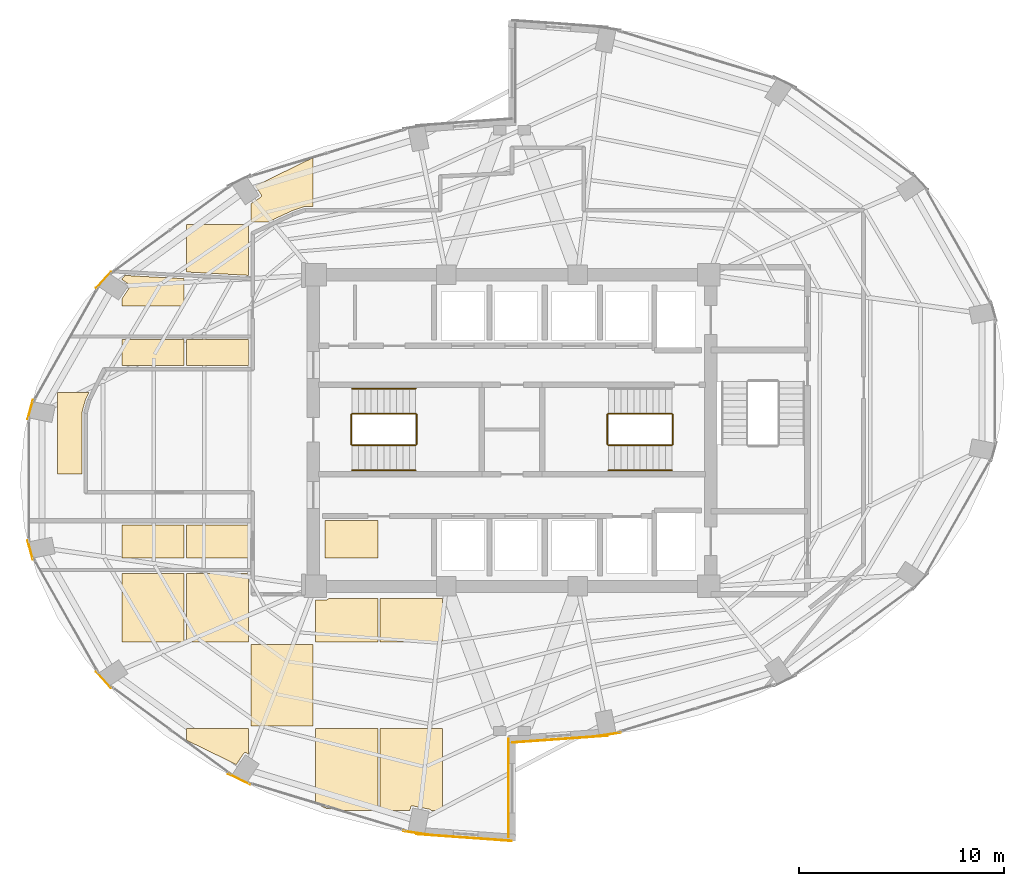
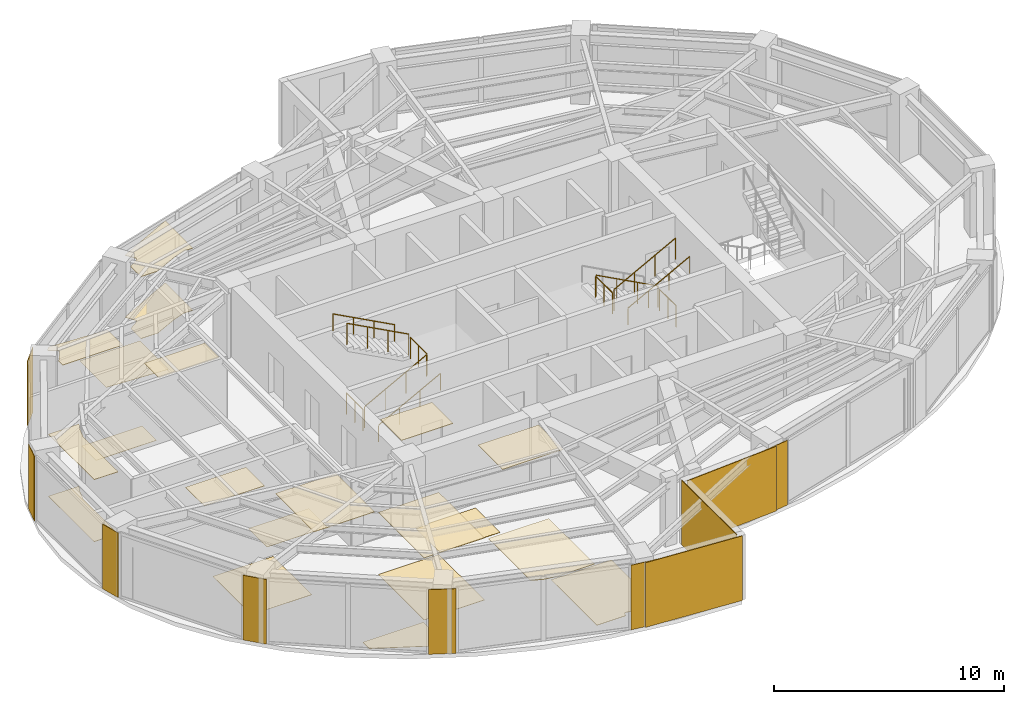
# One storey, part 19 of 20: 30 coverings, 11 railings.
"""IFC4 building model written with IfcOpenShell, lengths in metres."""

from ifc_helpers import new_model, si_unit, direction, frame, origin, origin_2d, place, context, subcontext, project, spatial, polyline, rectangle, circle, outline, extrude, material, layer, layer_set, type_object, element, save


model = new_model("IFC4")

# Units and contexts
model_context = context("Model", 3, precision=1e-05, world=origin(), true_north=direction((0.0, 1.0)))
body_context = subcontext(model_context, "Body", "Model", "MODEL_VIEW")
ifc_project = project(units=[si_unit("LENGTHUNIT", "METRE"), si_unit("AREAUNIT", "SQUARE_METRE"), si_unit("VOLUMEUNIT", "CUBIC_METRE"), si_unit("PLANEANGLEUNIT", "RADIAN"), si_unit("MASSUNIT", "GRAM", prefix="KILO")], contexts=[model_context])

# Site, building, storey
site_placement = place(None, origin())
site = spatial("IfcSite", under=ifc_project, at=site_placement, CompositionType="ELEMENT")
building_placement = place(site_placement, origin())
building = spatial("IfcBuilding", under=site, at=building_placement, Name="Lazwardi Medical Tower", CompositionType="ELEMENT")
storey_placement = place(building_placement, frame((0.0, 0.0, 178.416015625)))
storey = spatial("IfcBuildingStorey", under=building, at=storey_placement, Name="L46", CompositionType="ELEMENT", Elevation=178.416015625)

# Coverings
ifc_material_1 = material(Name="Anodised bronze aluminium cassette cladding", Category="aluminium")
ifc_layer_1 = layer(ifc_material_1, 0.030029296875)
ifc_layer_set_1 = layer_set([ifc_layer_1], Name="Anodised bronze aluminium cassette cladding")
covering_type_1 = type_object("IfcCoveringType", Name="COV-CLD-BRZ", PredefinedType="CLADDING", material=ifc_layer_set_1)
covering_1_placement = place(storey_placement, frame((40.67431640625, 13.17578125, 0.0), z_axis=(0.0, 0.0, 1.0), x_axis=(0.989539138138, 0.144264666823, 0.0)))
element("IfcCovering", 1, at=covering_1_placement, inside=storey, type_object=covering_type_1, Name="L46 Mega-column bronze cassette cover M01", PredefinedType="CLADDING", context=body_context, shape_type="SweptSolid", body=[
    extrude(rectangle(XDim=1.28515625, YDim=0.030029296875, at=origin_2d()), origin(), (0.0, 0.0, 1.0), 3.427978515625),
])
covering_2_placement = place(storey_placement, frame((16.07861328125, 35.356689453125, 0.0), z_axis=(0.0, 0.0, 1.0), x_axis=(-0.673714459537, -0.738991763832, 0.0)))
element("IfcCovering", 2, at=covering_2_placement, inside=storey, type_object=covering_type_1, Name="L46 Mega-column bronze cassette cover M11", PredefinedType="CLADDING", context=body_context, shape_type="SweptSolid", body=[
    extrude(rectangle(XDim=1.0693359375, YDim=0.030029296875, at=origin_2d()), origin(), (0.0, 0.0, 1.0), 3.427978515625),
])
for number, where, z_axis, x_axis, name in (
    (3, (12.501220703125, 29.026123046875, 0.0), (0.0, 0.0, 1.0), (-0.261828726257, -0.965114354938, 0.0), "L46 Mega-column bronze cassette cover M12"),
    (4, (12.501220703125, 22.173828125, 0.0), (0.0, 0.0, 1.0), (0.261828726257, -0.965114354938, 0.0), "L46 Mega-column bronze cassette cover M13"),
):
    element("IfcCovering", number, at=place(storey_placement, frame(where, z_axis=z_axis, x_axis=x_axis)), inside=storey, type_object=covering_type_1, Name=name, PredefinedType="CLADDING", context=body_context, shape_type="SweptSolid", body=[
        extrude(rectangle(XDim=0.9658203125, YDim=0.030029296875, at=origin_2d()), origin(), (0.0, 0.0, 1.0), 3.427978515625),
    ])
covering_3_placement = place(storey_placement, frame((16.07861328125, 15.84326171875, 0.0), z_axis=(0.0, 0.0, 1.0), x_axis=(0.673714459537, -0.738991763832, 0.0)))
element("IfcCovering", 5, at=covering_3_placement, inside=storey, type_object=covering_type_1, Name="L46 Mega-column bronze cassette cover M14", PredefinedType="CLADDING", context=body_context, shape_type="SweptSolid", body=[
    extrude(rectangle(XDim=1.0693359375, YDim=0.030029296875, at=origin_2d()), origin(), (0.0, 0.0, 1.0), 3.427978515625),
])
covering_4_placement = place(storey_placement, frame((22.68896484375, 10.998046875, 0.0), z_axis=(0.0, 0.0, 1.0), x_axis=(0.898079014814, -0.439834154144, 0.0)))
element("IfcCovering", 6, at=covering_4_placement, inside=storey, type_object=covering_type_1, Name="L46 Mega-column bronze cassette cover M15", PredefinedType="CLADDING", context=body_context, shape_type="SweptSolid", body=[
    extrude(rectangle(XDim=1.200439453125, YDim=0.030029296875, at=origin_2d()), origin(), (0.0, 0.0, 1.0), 3.427978515625),
])
covering_5_placement = place(storey_placement, frame((31.32568359375, 8.3759765625, 0.0), z_axis=(0.0, 0.0, 1.0), x_axis=(0.989539138138, -0.144264666823, 0.0)))
element("IfcCovering", 7, at=covering_5_placement, inside=storey, type_object=covering_type_1, Name="L46 Mega-column bronze cassette cover M16", PredefinedType="CLADDING", context=body_context, shape_type="SweptSolid", body=[
    extrude(rectangle(XDim=1.28515625, YDim=0.030029296875, at=origin_2d()), origin(), (0.0, 0.0, 1.0), 3.427978515625),
])
ifc_material_2 = material(Name="Turquoise glazed ceramic tilework cladding", Category="masonry")
ifc_layer_2 = layer(ifc_material_2, 0.034912109375)
ifc_layer_set_2 = layer_set([ifc_layer_2], Name="Turquoise glazed ceramic tilework cladding")
covering_type_2 = type_object("IfcCoveringType", Name="COV-CLD-TRQ", PredefinedType="CLADDING", material=ifc_layer_set_2)
covering_6_placement = place(storey_placement, frame((38.338134765625, 12.952392578125, 0.0), z_axis=(0.0, 0.0, 1.0), x_axis=(0.997414510753, 0.071863020663, 0.0)))
element("IfcCovering", 8, at=covering_6_placement, inside=storey, type_object=covering_type_2, Name="L46 Turquoise glazed ceramic tilework cladding", PredefinedType="CLADDING", context=body_context, shape_type="SweptSolid", body=[
    extrude(rectangle(XDim=4.6630859375, YDim=0.034912109375, at=origin_2d()), origin(), (0.0, 0.0, 1.0), 3.427978515625),
])
covering_7_placement = place(storey_placement, frame((33.66162109375, 8.152587890625, 0.0), z_axis=(0.0, 0.0, 1.0), x_axis=(0.997414134466, -0.071868243112, 0.0)))
element("IfcCovering", 9, at=covering_7_placement, inside=storey, type_object=covering_type_2, Name="L46 Turquoise glazed ceramic tilework cladding", PredefinedType="CLADDING", context=body_context, shape_type="SweptSolid", body=[
    extrude(rectangle(XDim=4.66259765625, YDim=0.034912109375, at=origin_2d()), origin(), (0.0, 0.0, 1.0), 3.427978515625),
])
covering_8_placement = place(storey_placement, frame((35.824462890625, 10.56005859375, 0.0), z_axis=(0.0, 0.0, 1.0), x_axis=(0.0, 1.0, 0.0)))
element("IfcCovering", 10, at=covering_8_placement, inside=storey, type_object=covering_type_2, Name="L46 Turquoise glazed ceramic tilework iwan panel", PredefinedType="CLADDING", context=body_context, shape_type="SweptSolid", body=[
    extrude(rectangle(XDim=4.800048828125, YDim=0.034912109375, at=origin_2d()), origin(), (0.0, 0.0, 1.0), 3.427978515625),
])
ifc_material_3 = material(Name="Acoustic mineral fibre tile")
ifc_layer_3 = layer(ifc_material_3, 0.02490234375)
ifc_layer_set_3 = layer_set([ifc_layer_3], Name="Acoustic mineral fibre tile")
covering_type_3 = type_object("IfcCoveringType", Name="COV-CLG-01", PredefinedType="CEILING", material=ifc_layer_set_3)
covering_9_placement = place(storey_placement, frame((0.0, 0.0, 3.282958984375)))
element("IfcCovering", 11, at=covering_9_placement, inside=storey, type_object=covering_type_3, Name="L46 Clinical Acoustic Ceiling 1", PredefinedType="CEILING", context=body_context, shape_type="SweptSolid", body=[
    extrude(outline(polyline([(15.02490234375, 25.882568359375), (15.02490234375, 28.881103515625), (15.025146484375, 28.884765625), (15.025390625, 28.8935546875), (15.026123046875, 28.90087890625), (15.02734375, 28.90966796875), (15.02880859375, 28.91650390625), (15.03076171875, 28.92529296875), (15.031494140625, 28.928955078125), (15.199462890625, 29.519775390625), (15.200439453125, 29.523193359375), (15.203125, 29.531005859375), (15.20556640625, 29.53759765625), (15.208984375, 29.545166015625), (15.210205078125, 29.548095703125), (15.362548828125, 29.862548828125), (13.822998046875, 29.862548828125), (13.822998046875, 25.882568359375), (15.02490234375, 25.882568359375)])), origin(), (0.0, 0.0, 1.0), 0.025146484375),
])
covering_10_placement = place(storey_placement, frame((0.0, 0.0, 3.282958984375)))
element("IfcCovering", 12, at=covering_10_placement, inside=storey, type_object=covering_type_3, Name="L46 Clinical Acoustic Ceiling 2", PredefinedType="CEILING", context=body_context, shape_type="SweptSolid", body=[
    extrude(outline(polyline([(20.0029296875, 23.39990234375), (16.972900390625, 23.39990234375), (16.972900390625, 21.782470703125), (20.0029296875, 21.782470703125), (20.0029296875, 23.39990234375)])), origin(), (0.0, 0.0, 1.0), 0.025146484375),
])
covering_11_placement = place(storey_placement, frame((0.0, 0.0, 3.282958984375)))
element("IfcCovering", 13, at=covering_11_placement, inside=storey, type_object=covering_type_3, Name="L46 Clinical Acoustic Ceiling 3", PredefinedType="CEILING", context=body_context, shape_type="SweptSolid", body=[
    extrude(outline(polyline([(20.0029296875, 35.41552734375), (17.121826171875, 35.572021484375), (16.972900390625, 35.408935546875), (16.972900390625, 35.371337890625), (17.34228515625, 35.124267578125), (17.348876953125, 35.11962890625), (17.3544921875, 35.114501953125), (17.35986328125, 35.1083984375), (17.364501953125, 35.102294921875), (17.36865234375, 35.095458984375), (17.371826171875, 35.08837890625), (17.37451171875, 35.0810546875), (17.37646484375, 35.073486328125), (17.377685546875, 35.065673828125), (17.3779296875, 35.057861328125), (17.377685546875, 35.050048828125), (17.37646484375, 35.042236328125), (17.37451171875, 35.03466796875), (17.371826171875, 35.027099609375), (17.36865234375, 35.02001953125), (17.364501953125, 35.013427734375), (16.972900390625, 34.42724609375), (16.972900390625, 34.08251953125), (20.0029296875, 34.08251953125), (20.0029296875, 35.41552734375)])), origin(), (0.0, 0.0, 1.0), 0.025146484375),
])
covering_12_placement = place(storey_placement, frame((0.0, 0.0, 3.282958984375)))
element("IfcCovering", 14, at=covering_12_placement, inside=storey, type_object=covering_type_3, Name="L46 Clinical Acoustic Ceiling 4", PredefinedType="CEILING", context=body_context, shape_type="SweptSolid", body=[
    extrude(outline(polyline([(23.15283203125, 21.034912109375), (20.122802734375, 21.034912109375), (20.122802734375, 17.6826171875), (23.15283203125, 17.6826171875), (23.15283203125, 21.034912109375)])), origin(), (0.0, 0.0, 1.0), 0.025146484375),
])
covering_13_placement = place(storey_placement, frame((0.0, 0.0, 3.282958984375)))
element("IfcCovering", 15, at=covering_13_placement, inside=storey, type_object=covering_type_3, Name="L46 Clinical Acoustic Ceiling 5", PredefinedType="CEILING", context=body_context, shape_type="SweptSolid", body=[
    extrude(outline(polyline([(23.15283203125, 32.43505859375), (20.122802734375, 32.43505859375), (20.122802734375, 31.175048828125), (23.15283203125, 31.175048828125), (23.15283203125, 32.43505859375)])), origin(), (0.0, 0.0, 1.0), 0.025146484375),
])
covering_14_placement = place(storey_placement, frame((0.0, 0.0, 3.282958984375)))
element("IfcCovering", 16, at=covering_14_placement, inside=storey, type_object=covering_type_3, Name="L46 Clinical Acoustic Ceiling 6", PredefinedType="CEILING", context=body_context, shape_type="SweptSolid", body=[
    extrude(outline(polyline([(26.302978515625, 13.58251953125), (26.302978515625, 17.5625), (23.27294921875, 17.5625), (23.27294921875, 13.58251953125), (26.302978515625, 13.58251953125)])), origin(), (0.0, 0.0, 1.0), 0.025146484375),
])
covering_15_placement = place(storey_placement, frame((0.0, 0.0, 3.282958984375)))
element("IfcCovering", 17, at=covering_15_placement, inside=storey, type_object=covering_type_3, Name="L46 Clinical Acoustic Ceiling 7", PredefinedType="CEILING", context=body_context, shape_type="SweptSolid", body=[
    extrude(outline(polyline([(26.302978515625, 41.32080078125), (23.476318359375, 39.939453125), (23.76806640625, 39.5029296875), (23.772216796875, 39.49609375), (23.775390625, 39.489013671875), (23.7783203125, 39.481689453125), (23.780029296875, 39.47412109375), (23.78125, 39.46630859375), (23.781494140625, 39.45849609375), (23.78125, 39.45068359375), (23.780029296875, 39.44287109375), (23.7783203125, 39.435302734375), (23.775390625, 39.427734375), (23.772216796875, 39.420654296875), (23.76806640625, 39.4140625), (23.763427734375, 39.40771484375), (23.75830078125, 39.40185546875), (23.75244140625, 39.396484375), (23.74609375, 39.391845703125), (23.27294921875, 39.07568359375), (23.27294921875, 38.1826171875), (24.109619140625, 38.1826171875), (25.245849609375, 38.714111328125), (25.24951171875, 38.7158203125), (25.2587890625, 38.719482421875), (25.262939453125, 38.72119140625), (25.825439453125, 38.915283203125), (25.82958984375, 38.916748046875), (25.83984375, 38.919677734375), (25.848876953125, 38.921630859375), (25.859130859375, 38.92333984375), (25.867431640625, 38.92431640625), (25.8779296875, 38.9248046875), (25.882568359375, 38.925048828125), (26.302978515625, 38.925048828125), (26.302978515625, 41.32080078125)])), origin(), (0.0, 0.0, 1.0), 0.025146484375),
])
covering_16_placement = place(storey_placement, frame((0.0, 0.0, 3.282958984375)))
element("IfcCovering", 18, at=covering_16_placement, inside=storey, type_object=covering_type_3, Name="L46 Clinical Acoustic Ceiling 8", PredefinedType="CEILING", context=body_context, shape_type="SweptSolid", body=[
    extrude(outline(polyline([(26.4228515625, 9.820556640625), (26.908447265625, 9.58349609375), (27.60205078125, 9.482421875), (29.452880859375, 9.482421875), (29.452880859375, 13.46240234375), (26.4228515625, 13.46240234375), (26.4228515625, 9.820556640625)])), origin(), (0.0, 0.0, 1.0), 0.025146484375),
])
covering_17_placement = place(storey_placement, frame((0.0, 0.0, 3.282958984375)))
element("IfcCovering", 19, at=covering_17_placement, inside=storey, type_object=covering_type_3, Name="L46 Clinical Acoustic Ceiling 9", PredefinedType="CEILING", context=body_context, shape_type="SweptSolid", body=[
    extrude(outline(polyline([(29.452880859375, 23.6201171875), (26.8798828125, 23.6201171875), (26.8798828125, 21.782470703125), (29.452880859375, 21.782470703125), (29.452880859375, 23.6201171875)])), origin(), (0.0, 0.0, 1.0), 0.025146484375),
])
covering_18_placement = place(storey_placement, frame((0.0, 0.0, 3.282958984375)))
element("IfcCovering", 20, at=covering_18_placement, inside=storey, type_object=covering_type_3, Name="L46 Clinical Acoustic Ceiling 10", PredefinedType="CEILING", context=body_context, shape_type="SweptSolid", body=[
    extrude(outline(polyline([(32.602783203125, 19.820068359375), (29.572998046875, 19.820068359375), (29.572998046875, 17.6826171875), (32.602783203125, 17.6826171875), (32.602783203125, 19.820068359375)])), origin(), (0.0, 0.0, 1.0), 0.025146484375),
])
ifc_material_4 = material(Name="Anti-static hospital vinyl sheet flooring")
ifc_layer_4 = layer(ifc_material_4, 0.014892578125)
ifc_layer_set_4 = layer_set([ifc_layer_4], Name="Anti-static hospital vinyl sheet flooring")
covering_type_4 = type_object("IfcCoveringType", Name="COV-FLR-01", PredefinedType="FLOORING", material=ifc_layer_set_4)
covering_19_placement = place(storey_placement, origin())
element("IfcCovering", 21, at=covering_19_placement, inside=storey, type_object=covering_type_4, Name="L46 Clinical Vinyl Flooring 1", PredefinedType="FLOORING", context=body_context, shape_type="SweptSolid", body=[
    extrude(outline(polyline([(15.02490234375, 25.882568359375), (15.02490234375, 28.881103515625), (15.025146484375, 28.884765625), (15.025390625, 28.8935546875), (15.026123046875, 28.90087890625), (15.02734375, 28.90966796875), (15.02880859375, 28.91650390625), (15.03076171875, 28.92529296875), (15.031494140625, 28.928955078125), (15.199462890625, 29.519775390625), (15.200439453125, 29.523193359375), (15.203125, 29.531005859375), (15.20556640625, 29.53759765625), (15.208984375, 29.545166015625), (15.210205078125, 29.548095703125), (15.362548828125, 29.862548828125), (13.822998046875, 29.862548828125), (13.822998046875, 25.882568359375), (15.02490234375, 25.882568359375)])), origin(), (0.0, 0.0, 1.0), 0.014892578125),
])
covering_20_placement = place(storey_placement, origin())
element("IfcCovering", 22, at=covering_20_placement, inside=storey, type_object=covering_type_4, Name="L46 Clinical Vinyl Flooring 2", PredefinedType="FLOORING", context=body_context, shape_type="SweptSolid", body=[
    extrude(outline(polyline([(20.0029296875, 21.034912109375), (16.972900390625, 21.034912109375), (16.972900390625, 17.6826171875), (20.0029296875, 17.6826171875), (20.0029296875, 21.034912109375)])), origin(), (0.0, 0.0, 1.0), 0.014892578125),
])
covering_21_placement = place(storey_placement, origin())
element("IfcCovering", 23, at=covering_21_placement, inside=storey, type_object=covering_type_4, Name="L46 Clinical Vinyl Flooring 3", PredefinedType="FLOORING", context=body_context, shape_type="SweptSolid", body=[
    extrude(outline(polyline([(20.0029296875, 32.43505859375), (16.972900390625, 32.43505859375), (16.972900390625, 31.175048828125), (20.0029296875, 31.175048828125), (20.0029296875, 32.43505859375)])), origin(), (0.0, 0.0, 1.0), 0.014892578125),
])
covering_22_placement = place(storey_placement, origin())
element("IfcCovering", 24, at=covering_22_placement, inside=storey, type_object=covering_type_4, Name="L46 Clinical Vinyl Flooring 4", PredefinedType="FLOORING", context=body_context, shape_type="SweptSolid", body=[
    extrude(outline(polyline([(20.122802734375, 12.899169921875), (22.551513671875, 11.71240234375), (22.919921875, 12.263916015625), (22.9248046875, 12.27001953125), (22.929931640625, 12.27587890625), (22.935791015625, 12.28125), (22.942138671875, 12.285888671875), (22.94873046875, 12.2900390625), (22.955810546875, 12.293212890625), (22.96337890625, 12.2958984375), (22.970947265625, 12.2978515625), (22.978759765625, 12.299072265625), (22.986572265625, 12.29931640625), (22.994384765625, 12.299072265625), (23.002197265625, 12.2978515625), (23.009765625, 12.2958984375), (23.01708984375, 12.293212890625), (23.024169921875, 12.2900390625), (23.031005859375, 12.285888671875), (23.15283203125, 12.204345703125), (23.15283203125, 13.46240234375), (20.122802734375, 13.46240234375), (20.122802734375, 12.899169921875)])), origin(), (0.0, 0.0, 1.0), 0.014892578125),
])
covering_23_placement = place(storey_placement, origin())
element("IfcCovering", 25, at=covering_23_placement, inside=storey, type_object=covering_type_4, Name="L46 Clinical Vinyl Flooring 5", PredefinedType="FLOORING", context=body_context, shape_type="SweptSolid", body=[
    extrude(outline(polyline([(23.15283203125, 23.39990234375), (20.122802734375, 23.39990234375), (20.122802734375, 21.782470703125), (23.15283203125, 21.782470703125), (23.15283203125, 23.39990234375)])), origin(), (0.0, 0.0, 1.0), 0.014892578125),
])
covering_24_placement = place(storey_placement, origin())
element("IfcCovering", 26, at=covering_24_placement, inside=storey, type_object=covering_type_4, Name="L46 Clinical Vinyl Flooring 6", PredefinedType="FLOORING", context=body_context, shape_type="SweptSolid", body=[
    extrude(outline(polyline([(20.122802734375, 35.739501953125), (23.15283203125, 35.5751953125), (23.15283203125, 38.0625), (20.122802734375, 38.0625), (20.122802734375, 35.739501953125)])), origin(), (0.0, 0.0, 1.0), 0.014892578125),
])
covering_25_placement = place(storey_placement, origin())
element("IfcCovering", 27, at=covering_25_placement, inside=storey, type_object=covering_type_4, Name="L46 Clinical Vinyl Flooring 7", PredefinedType="FLOORING", context=body_context, shape_type="SweptSolid", body=[
    extrude(outline(polyline([(26.302978515625, 13.58251953125), (26.302978515625, 17.5625), (23.27294921875, 17.5625), (23.27294921875, 13.58251953125), (26.302978515625, 13.58251953125)])), origin(), (0.0, 0.0, 1.0), 0.014892578125),
])
covering_26_placement = place(storey_placement, origin())
element("IfcCovering", 28, at=covering_26_placement, inside=storey, type_object=covering_type_4, Name="L46 Clinical Vinyl Flooring 8", PredefinedType="FLOORING", context=body_context, shape_type="SweptSolid", body=[
    extrude(outline(polyline([(26.302978515625, 41.32080078125), (23.476318359375, 39.939453125), (23.76806640625, 39.5029296875), (23.772216796875, 39.49609375), (23.775390625, 39.489013671875), (23.7783203125, 39.481689453125), (23.780029296875, 39.47412109375), (23.78125, 39.46630859375), (23.781494140625, 39.45849609375), (23.78125, 39.45068359375), (23.780029296875, 39.44287109375), (23.7783203125, 39.435302734375), (23.775390625, 39.427734375), (23.772216796875, 39.420654296875), (23.76806640625, 39.4140625), (23.763427734375, 39.40771484375), (23.75830078125, 39.40185546875), (23.75244140625, 39.396484375), (23.74609375, 39.391845703125), (23.27294921875, 39.07568359375), (23.27294921875, 38.1826171875), (24.109619140625, 38.1826171875), (25.245849609375, 38.714111328125), (25.24951171875, 38.7158203125), (25.2587890625, 38.719482421875), (25.262939453125, 38.72119140625), (25.825439453125, 38.915283203125), (25.82958984375, 38.916748046875), (25.83984375, 38.919677734375), (25.848876953125, 38.921630859375), (25.859130859375, 38.92333984375), (25.867431640625, 38.92431640625), (25.8779296875, 38.9248046875), (25.882568359375, 38.925048828125), (26.302978515625, 38.925048828125), (26.302978515625, 41.32080078125)])), origin(), (0.0, 0.0, 1.0), 0.014892578125),
])
covering_27_placement = place(storey_placement, origin())
element("IfcCovering", 29, at=covering_27_placement, inside=storey, type_object=covering_type_4, Name="L46 Clinical Vinyl Flooring 9", PredefinedType="FLOORING", context=body_context, shape_type="SweptSolid", body=[
    extrude(outline(polyline([(29.452880859375, 19.820068359375), (27.04931640625, 19.820068359375), (27.048583984375, 19.814453125), (27.046630859375, 19.806884765625), (27.0439453125, 19.79931640625), (27.04052734375, 19.792236328125), (27.03662109375, 19.78564453125), (27.03173828125, 19.779296875), (27.026611328125, 19.7734375), (27.020751953125, 19.768310546875), (27.014404296875, 19.763427734375), (27.0078125, 19.759521484375), (27.00048828125, 19.756103515625), (26.9931640625, 19.75341796875), (26.985595703125, 19.75146484375), (26.977783203125, 19.75048828125), (26.969970703125, 19.75), (26.4228515625, 19.75), (26.4228515625, 17.6826171875), (29.452880859375, 17.6826171875), (29.452880859375, 19.820068359375)])), origin(), (0.0, 0.0, 1.0), 0.014892578125),
])
covering_28_placement = place(storey_placement, origin())
element("IfcCovering", 30, at=covering_28_placement, inside=storey, type_object=covering_type_4, Name="L46 Clinical Vinyl Flooring 10", PredefinedType="FLOORING", context=body_context, shape_type="SweptSolid", body=[
    extrude(outline(polyline([(31.025390625, 9.482421875), (31.0556640625, 9.63427734375), (31.0576171875, 9.641845703125), (31.060302734375, 9.6494140625), (31.0634765625, 9.656494140625), (31.067626953125, 9.6630859375), (31.072265625, 9.66943359375), (31.077392578125, 9.67529296875), (31.083251953125, 9.680419921875), (31.089599609375, 9.685302734375), (31.096435546875, 9.689208984375), (31.103515625, 9.692626953125), (31.11083984375, 9.6953125), (31.118408203125, 9.697265625), (31.126220703125, 9.6982421875), (31.134033203125, 9.69873046875), (31.141845703125, 9.6982421875), (31.149658203125, 9.697265625), (31.9931640625, 9.529296875), (32.000732421875, 9.527587890625), (32.00830078125, 9.52490234375), (32.015380859375, 9.521484375), (32.02197265625, 9.517333984375), (32.0283203125, 9.5126953125), (32.0341796875, 9.507568359375), (32.039306640625, 9.501708984375), (32.044189453125, 9.495361328125), (32.048095703125, 9.488525390625), (32.051025390625, 9.482421875), (32.602783203125, 9.482421875), (32.602783203125, 13.46240234375), (29.572998046875, 13.46240234375), (29.572998046875, 9.482421875), (31.025390625, 9.482421875)])), origin(), (0.0, 0.0, 1.0), 0.014892578125),
])

# Railings
ifc_material_5 = material(Name="Stainless steel Grade 316", Category="steel")
railing_type_1 = type_object("IfcRailingType", Name="RLG-GRD-1150", PredefinedType="GUARDRAIL", material=ifc_material_5)
railing_1_placement = place(storey_placement, frame((28.199951171875, 27.2900390625, 0.165771484375)))
element("IfcRailing", 31, at=railing_1_placement, inside=storey, type_object=railing_type_1, Name="L46 ST1 stair guard 1", PredefinedType="GUARDRAIL", context=body_context, shape_type="SweptSolid", body=[
    extrude(circle(Radius=0.02392578125, at=origin_2d()), frame((0.0, 0.0, 1.1259765625), z_axis=(0.881783298633, 0.0, 0.471654761719), x_axis=(0.0, 1.0, 0.0)), (0.0, 0.0, 1.0), 3.515625),
    extrude(circle(Radius=0.02099609375, at=origin_2d()), origin(), (0.0, 0.0, 1.0), 1.099853515625),
    extrude(circle(Radius=0.02099609375, at=origin_2d()), frame((1.033447265625, 0.0, 0.552734375)), (0.0, 0.0, 1.0), 1.099853515625),
    extrude(circle(Radius=0.02099609375, at=origin_2d()), frame((2.066650390625, 0.0, 1.10546875)), (0.0, 0.0, 1.0), 1.099853515625),
    extrude(circle(Radius=0.02099609375, at=origin_2d()), frame((3.10009765625, 0.0, 1.658203125)), (0.0, 0.0, 1.0), 1.099853515625),
])
railing_2_placement = place(storey_placement, frame((31.35009765625, 27.340087890625, 1.823974609375)))
element("IfcRailing", 32, at=railing_2_placement, inside=storey, type_object=railing_type_1, Name="L46 ST1 stair guard 2", PredefinedType="GUARDRAIL", context=body_context, shape_type="SweptSolid", body=[
    extrude(circle(Radius=0.02392578125, at=origin_2d()), frame((0.0, 0.0, 1.1259765625), z_axis=(0.0, 1.0, 0.0), x_axis=(-1.0, 0.0, 0.0)), (0.0, 0.0, 1.0), 1.43994140625),
    extrude(circle(Radius=0.02099609375, at=origin_2d()), origin(), (0.0, 0.0, 1.0), 1.099853515625),
    extrude(circle(Radius=0.02099609375, at=origin_2d()), frame((0.0, 0.719970703125, 0.0)), (0.0, 0.0, 1.0), 1.099853515625),
    extrude(circle(Radius=0.02099609375, at=origin_2d()), frame((0.0, 1.43994140625, 0.0)), (0.0, 0.0, 1.0), 1.099853515625),
])
railing_3_placement = place(storey_placement, frame((31.300048828125, 28.830078125, 1.98974609375)))
element("IfcRailing", 33, at=railing_3_placement, inside=storey, type_object=railing_type_1, Name="L46 ST1 stair guard 3", PredefinedType="GUARDRAIL", context=body_context, shape_type="SweptSolid", body=[
    extrude(circle(Radius=0.02392578125, at=origin_2d()), frame((0.0, 0.0, 1.1259765625), z_axis=(-0.881783298633, 0.0, 0.471654761719), x_axis=(0.0, -1.0, 0.0)), (0.0, 0.0, 1.0), 3.515625),
    extrude(circle(Radius=0.02099609375, at=origin_2d()), origin(), (0.0, 0.0, 1.0), 1.099853515625),
    extrude(circle(Radius=0.02099609375, at=origin_2d()), frame((-1.033447265625, 0.0, 0.552734375)), (0.0, 0.0, 1.0), 1.099853515625),
    extrude(circle(Radius=0.02099609375, at=origin_2d()), frame((-2.066650390625, 0.0, 1.10546875)), (0.0, 0.0, 1.0), 1.099853515625),
    extrude(circle(Radius=0.02099609375, at=origin_2d()), frame((-3.10009765625, 0.0, 1.658203125)), (0.0, 0.0, 1.0), 1.099853515625),
])
railing_4_placement = place(storey_placement, frame((28.14990234375, 27.340087890625, 0.0)))
element("IfcRailing", 34, at=railing_4_placement, inside=storey, type_object=railing_type_1, Name="L46 ST1 stair guard 4", PredefinedType="GUARDRAIL", context=body_context, shape_type="SweptSolid", body=[
    extrude(circle(Radius=0.02392578125, at=origin_2d()), frame((0.0, 0.0, 1.1259765625), z_axis=(0.0, 1.0, 0.0), x_axis=(-1.0, 0.0, 0.0)), (0.0, 0.0, 1.0), 1.43994140625),
    extrude(circle(Radius=0.02099609375, at=origin_2d()), origin(), (0.0, 0.0, 1.0), 1.099853515625),
    extrude(circle(Radius=0.02099609375, at=origin_2d()), frame((0.0, 0.719970703125, 0.0)), (0.0, 0.0, 1.0), 1.099853515625),
    extrude(circle(Radius=0.02099609375, at=origin_2d()), frame((0.0, 1.43994140625, 0.0)), (0.0, 0.0, 1.0), 1.099853515625),
])
railing_5_placement = place(storey_placement, frame((43.800048828125, 28.830078125, 0.165771484375)))
element("IfcRailing", 35, at=railing_5_placement, inside=storey, type_object=railing_type_1, Name="L46 ST2 stair guard 1", PredefinedType="GUARDRAIL", context=body_context, shape_type="SweptSolid", body=[
    extrude(circle(Radius=0.02392578125, at=origin_2d()), frame((0.0, 0.0, 1.1259765625), z_axis=(-0.881783298633, 0.0, 0.471654761719), x_axis=(0.0, -1.0, 0.0)), (0.0, 0.0, 1.0), 3.515625),
    extrude(circle(Radius=0.02099609375, at=origin_2d()), origin(), (0.0, 0.0, 1.0), 1.099853515625),
    extrude(circle(Radius=0.02099609375, at=origin_2d()), frame((-1.033447265625, 0.0, 0.552734375)), (0.0, 0.0, 1.0), 1.099853515625),
    extrude(circle(Radius=0.02099609375, at=origin_2d()), frame((-2.066650390625, 0.0, 1.10546875)), (0.0, 0.0, 1.0), 1.099853515625),
    extrude(circle(Radius=0.02099609375, at=origin_2d()), frame((-3.10009765625, 0.0, 1.658203125)), (0.0, 0.0, 1.0), 1.099853515625),
])
railing_6_placement = place(storey_placement, frame((40.64990234375, 28.780029296875, 1.823974609375)))
element("IfcRailing", 36, at=railing_6_placement, inside=storey, type_object=railing_type_1, Name="L46 ST2 stair guard 2", PredefinedType="GUARDRAIL", context=body_context, shape_type="SweptSolid", body=[
    extrude(circle(Radius=0.02392578125, at=origin_2d()), frame((0.0, 0.0, 1.1259765625), z_axis=(0.0, -1.0, 0.0), x_axis=(1.0, 0.0, 0.0)), (0.0, 0.0, 1.0), 1.43994140625),
    extrude(circle(Radius=0.02099609375, at=origin_2d()), origin(), (0.0, 0.0, 1.0), 1.099853515625),
    extrude(circle(Radius=0.02099609375, at=origin_2d()), frame((0.0, -0.719970703125, 0.0)), (0.0, 0.0, 1.0), 1.099853515625),
    extrude(circle(Radius=0.02099609375, at=origin_2d()), frame((0.0, -1.43994140625, 0.0)), (0.0, 0.0, 1.0), 1.099853515625),
])
railing_7_placement = place(storey_placement, frame((40.699951171875, 27.2900390625, 1.98974609375)))
element("IfcRailing", 37, at=railing_7_placement, inside=storey, type_object=railing_type_1, Name="L46 ST2 stair guard 3", PredefinedType="GUARDRAIL", context=body_context, shape_type="SweptSolid", body=[
    extrude(circle(Radius=0.02392578125, at=origin_2d()), frame((0.0, 0.0, 1.1259765625), z_axis=(0.881783298633, 0.0, 0.471654761719), x_axis=(0.0, 1.0, 0.0)), (0.0, 0.0, 1.0), 3.515625),
    extrude(circle(Radius=0.02099609375, at=origin_2d()), origin(), (0.0, 0.0, 1.0), 1.099853515625),
    extrude(circle(Radius=0.02099609375, at=origin_2d()), frame((1.033447265625, 0.0, 0.552734375)), (0.0, 0.0, 1.0), 1.099853515625),
    extrude(circle(Radius=0.02099609375, at=origin_2d()), frame((2.066650390625, 0.0, 1.10546875)), (0.0, 0.0, 1.0), 1.099853515625),
    extrude(circle(Radius=0.02099609375, at=origin_2d()), frame((3.10009765625, 0.0, 1.658203125)), (0.0, 0.0, 1.0), 1.099853515625),
])
railing_8_placement = place(storey_placement, frame((43.85009765625, 28.780029296875, 0.0)))
element("IfcRailing", 38, at=railing_8_placement, inside=storey, type_object=railing_type_1, Name="L46 ST2 stair guard 4", PredefinedType="GUARDRAIL", context=body_context, shape_type="SweptSolid", body=[
    extrude(circle(Radius=0.02392578125, at=origin_2d()), frame((0.0, 0.0, 1.1259765625), z_axis=(0.0, -1.0, 0.0), x_axis=(1.0, 0.0, 0.0)), (0.0, 0.0, 1.0), 1.43994140625),
    extrude(circle(Radius=0.02099609375, at=origin_2d()), origin(), (0.0, 0.0, 1.0), 1.099853515625),
    extrude(circle(Radius=0.02099609375, at=origin_2d()), frame((0.0, -0.719970703125, 0.0)), (0.0, 0.0, 1.0), 1.099853515625),
    extrude(circle(Radius=0.02099609375, at=origin_2d()), frame((0.0, -1.43994140625, 0.0)), (0.0, 0.0, 1.0), 1.099853515625),
])
railing_type_2 = type_object("IfcRailingType", Name="RLG-HND-920", PredefinedType="HANDRAIL", material=ifc_material_5)
railing_9_placement = place(storey_placement, frame((28.199951171875, 26.070068359375, 0.165771484375)))
element("IfcRailing", 39, at=railing_9_placement, inside=storey, type_object=railing_type_2, Name="L46 ST1 stair handrail 1", PredefinedType="HANDRAIL", context=body_context, shape_type="SweptSolid", body=[
    extrude(circle(Radius=0.02392578125, at=origin_2d()), frame((0.0, 0.0, 0.8857421875), z_axis=(0.881783298633, 0.0, 0.471654761719), x_axis=(0.0, 1.0, 0.0)), (0.0, 0.0, 1.0), 3.515625),
    extrude(circle(Radius=0.02099609375, at=origin_2d()), origin(), (0.0, 0.0, 1.0), 0.85986328125),
    extrude(circle(Radius=0.02099609375, at=origin_2d()), frame((1.033447265625, 0.0, 0.552734375)), (0.0, 0.0, 1.0), 0.85986328125),
    extrude(circle(Radius=0.02099609375, at=origin_2d()), frame((2.066650390625, 0.0, 1.10546875)), (0.0, 0.0, 1.0), 0.85986328125),
    extrude(circle(Radius=0.02099609375, at=origin_2d()), frame((3.10009765625, 0.0, 1.658203125)), (0.0, 0.0, 1.0), 0.85986328125),
])
railing_10_placement = place(storey_placement, frame((31.300048828125, 30.050048828125, 1.98974609375)))
element("IfcRailing", 40, at=railing_10_placement, inside=storey, type_object=railing_type_2, Name="L46 ST1 stair handrail 2", PredefinedType="HANDRAIL", context=body_context, shape_type="SweptSolid", body=[
    extrude(circle(Radius=0.02392578125, at=origin_2d()), frame((0.0, 0.0, 0.8857421875), z_axis=(-0.881783298633, 0.0, 0.471654761719), x_axis=(0.0, -1.0, 0.0)), (0.0, 0.0, 1.0), 3.515625),
    extrude(circle(Radius=0.02099609375, at=origin_2d()), origin(), (0.0, 0.0, 1.0), 0.85986328125),
    extrude(circle(Radius=0.02099609375, at=origin_2d()), frame((-1.033447265625, 0.0, 0.552734375)), (0.0, 0.0, 1.0), 0.85986328125),
    extrude(circle(Radius=0.02099609375, at=origin_2d()), frame((-2.066650390625, 0.0, 1.10546875)), (0.0, 0.0, 1.0), 0.85986328125),
    extrude(circle(Radius=0.02099609375, at=origin_2d()), frame((-3.10009765625, 0.0, 1.658203125)), (0.0, 0.0, 1.0), 0.85986328125),
])
railing_11_placement = place(storey_placement, frame((40.699951171875, 26.070068359375, 1.98974609375)))
element("IfcRailing", 41, at=railing_11_placement, inside=storey, type_object=railing_type_2, Name="L46 ST2 stair handrail 2", PredefinedType="HANDRAIL", context=body_context, shape_type="SweptSolid", body=[
    extrude(circle(Radius=0.02392578125, at=origin_2d()), frame((0.0, 0.0, 0.8857421875), z_axis=(0.881783298633, 0.0, 0.471654761719), x_axis=(0.0, 1.0, 0.0)), (0.0, 0.0, 1.0), 3.515625),
    extrude(circle(Radius=0.02099609375, at=origin_2d()), origin(), (0.0, 0.0, 1.0), 0.85986328125),
    extrude(circle(Radius=0.02099609375, at=origin_2d()), frame((1.033447265625, 0.0, 0.552734375)), (0.0, 0.0, 1.0), 0.85986328125),
    extrude(circle(Radius=0.02099609375, at=origin_2d()), frame((2.066650390625, 0.0, 1.10546875)), (0.0, 0.0, 1.0), 0.85986328125),
    extrude(circle(Radius=0.02099609375, at=origin_2d()), frame((3.10009765625, 0.0, 1.658203125)), (0.0, 0.0, 1.0), 0.85986328125),
])

save(model, "model.ifc")
